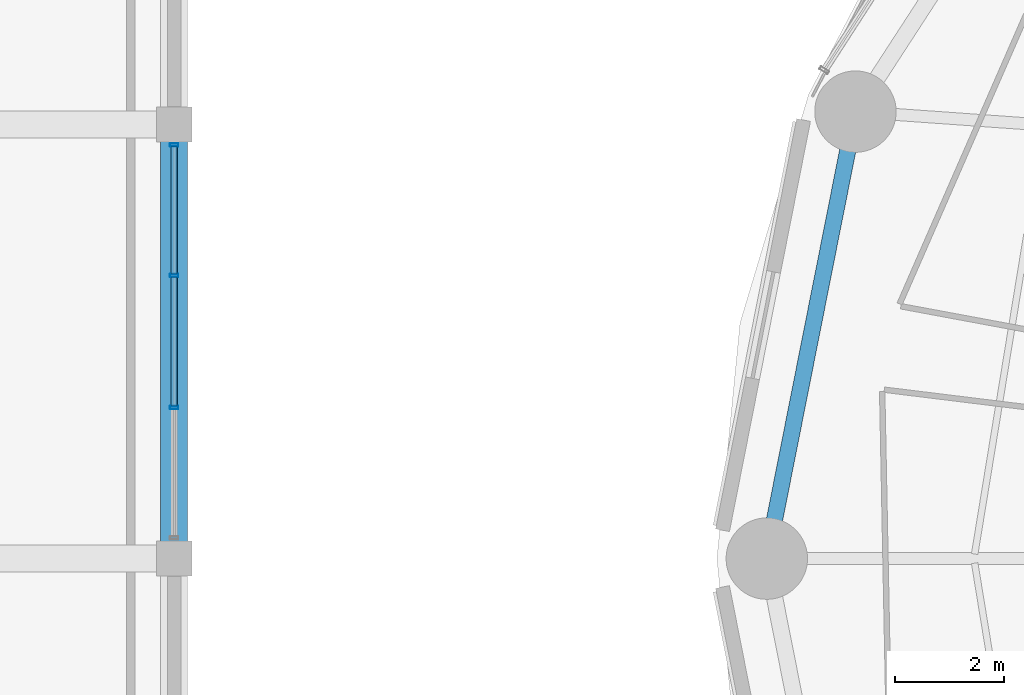
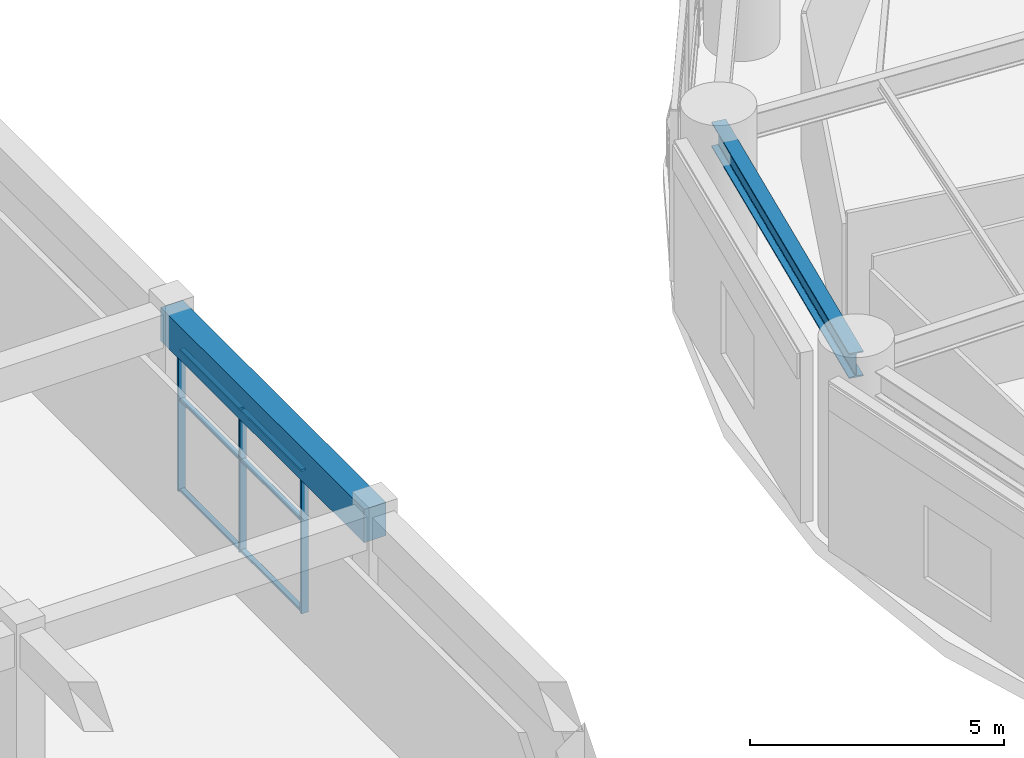
# One storey, part 14 of 52: 9 members, 2 beams, 1 element without a shape of its own.
"""IFC4 building model written with IfcOpenShell, lengths in metres."""

from ifc_helpers import new_model, si_unit, direction, frame, origin, origin_2d, place, context, subcontext, project, spatial, rectangle, hollow_rectangle, i_section, extrude, material, layer, layer_set, material_profile, profile_set, type_object, element, aggregate, save


model = new_model("IFC4")

# Units and contexts
model_context = context("Model", 3, precision=1e-05, world=origin(), true_north=direction((0.0, 1.0)))
body_context = subcontext(model_context, "Body", "Model", "MODEL_VIEW")
ifc_project = project(units=[si_unit("LENGTHUNIT", "METRE"), si_unit("AREAUNIT", "SQUARE_METRE"), si_unit("VOLUMEUNIT", "CUBIC_METRE"), si_unit("PLANEANGLEUNIT", "RADIAN"), si_unit("MASSUNIT", "GRAM", prefix="KILO")], contexts=[model_context])

# Site, building, storey
site_placement = place(None, origin())
site = spatial("IfcSite", under=ifc_project, at=site_placement, CompositionType="ELEMENT")
building_placement = place(site_placement, origin())
building = spatial("IfcBuilding", under=site, at=building_placement, Name="Kelanora Arch Commons", CompositionType="ELEMENT")
storey_placement = place(building_placement, frame((0.0, 0.0, 13.5)))
storey = spatial("IfcBuildingStorey", under=building, at=storey_placement, Name="L03", CompositionType="ELEMENT", Elevation=13.5)

# Beams
ifc_material_1 = material(Name="Concrete C40/50", Category="concrete")
ifc_material_profile_1 = material_profile(ifc_material_1, rectangle(XDim=0.5, YDim=0.800048828125, at=origin_2d()), Name="RCB500x800")
ifc_profile_set_1 = profile_set([ifc_material_profile_1], Name="Concrete C40/50")
beam_type_1 = type_object("IfcBeamType", Name="BM-MKT-RC1", PredefinedType="BEAM", material=ifc_profile_set_1)
beam_1_placement = place(storey_placement, frame((36.0, 58.0, 3.840087890625), z_axis=(0.0, 1.0, 0.0), x_axis=(-1.0, 0.0, 0.0)))
element("IfcBeam", 1, at=beam_1_placement, inside=storey, type_object=beam_type_1, Name="Market/Basement Frame Beam 091 L03", PredefinedType="BEAM", context=body_context, shape_type="SweptSolid", body=[
    extrude(rectangle(XDim=0.5, YDim=0.800048828125, at=origin_2d()), origin(), (0.0, 0.0, 1.0), 8.0),
])
ifc_material_2 = material(Name="Steel S355", Category="steel")
ifc_material_profile_2 = material_profile(ifc_material_2, i_section(OverallWidth=0.300048828125, OverallDepth=0.60009765625, WebThickness=0.015380859375, FlangeThickness=0.030029296875, FilletRadius=0.027099609375, at=origin_2d()), Name="HEB600")
ifc_profile_set_2 = profile_set([ifc_material_profile_2], Name="Steel S355")
beam_type_2 = type_object("IfcBeamType", Name="BM-SPN-Z1", PredefinedType="SPANDREL", material=ifc_profile_set_2)
beam_2_placement = place(storey_placement, frame((48.552978515625, 66.23583984375, 3.800048828125), z_axis=(-0.194499827256, -0.980902552345, 0.0), x_axis=(0.980902552345, -0.194499827256, 0.0)))
element("IfcBeam", 2, at=beam_2_placement, inside=storey, type_object=beam_type_2, Name="Perimeter Spandrel Beam BS-16 L03", PredefinedType="SPANDREL", context=body_context, shape_type="SweptSolid", body=[
    extrude(i_section(OverallWidth=0.300048828125, OverallDepth=0.60009765625, WebThickness=0.015380859375, FlangeThickness=0.030029296875, FilletRadius=0.027099609375, at=origin_2d()), origin(), (0.0, 0.0, 1.0), 8.396240234375),
])

# Curtain wall, members
ifc_material_3 = material(Name="Terracotta ceramic-fritted low-E glass and aluminium", Category="masonry")
ifc_layer = layer(ifc_material_3, 0.16796875)
ifc_layer_set = layer_set([ifc_layer], Name="Terracotta ceramic-fritted low-E glass and aluminium")
curtain_wall_type = type_object("IfcCurtainWallType", Name="CW-SYS-07", PredefinedType="NOTDEFINED", material=ifc_layer_set)
curtain_wall_placement = place(storey_placement, origin())
curtain_wall = element("IfcCurtainWall", 3, at=curtain_wall_placement, inside=storey, type_object=curtain_wall_type, Name="Market Hall Arcade Curtain Wall L03-27", PredefinedType="NOTDEFINED")
ifc_material_4 = material(Name="Powder-coated aluminium terracotta", Category="masonry")
ifc_material_profile_3 = material_profile(ifc_material_4, hollow_rectangle(XDim=0.159912109375, YDim=0.06005859375, WallThickness=0.0048828125, InnerFilletRadius=0.0048828125, OuterFilletRadius=0.010009765625, at=origin_2d()), Name="CWM160x60")
ifc_profile_set_3 = profile_set([ifc_material_profile_3], Name="Powder-coated aluminium terracotta")
member_type_1 = type_object("IfcMemberType", Name="CWM-STD", PredefinedType="MULLION", material=ifc_profile_set_3)
member_1_placement = place(storey_placement, frame((36.0, 60.783447265625, 0.0), z_axis=(0.0, 0.0, 1.0), x_axis=(-1.0, 0.0, 0.0)))
member_1 = element("IfcMember", 4, at=member_1_placement, type_object=member_type_1, Name="CW-07 mullion 2", PredefinedType="MULLION", context=body_context, shape_type="SweptSolid", body=[
    extrude(hollow_rectangle(XDim=0.159912109375, YDim=0.06005859375, WallThickness=0.0048828125, InnerFilletRadius=0.0048828125, OuterFilletRadius=0.010009765625, at=origin_2d()), origin(), (0.0, 0.0, 1.0), 3.419921875),
])
member_2_placement = place(storey_placement, frame((36.0, 63.216552734375, 0.0), z_axis=(0.0, 0.0, 1.0), x_axis=(-1.0, 0.0, 0.0)))
member_2 = element("IfcMember", 5, at=member_2_placement, type_object=member_type_1, Name="CW-07 mullion 3", PredefinedType="MULLION", context=body_context, shape_type="SweptSolid", body=[
    extrude(hollow_rectangle(XDim=0.159912109375, YDim=0.06005859375, WallThickness=0.0048828125, InnerFilletRadius=0.0048828125, OuterFilletRadius=0.010009765625, at=origin_2d()), origin(), (0.0, 0.0, 1.0), 3.419921875),
])
member_3_placement = place(storey_placement, frame((36.0, 65.6201171875, 0.0), z_axis=(0.0, 0.0, 1.0), x_axis=(-1.0, 0.0, 0.0)))
member_3 = element("IfcMember", 6, at=member_3_placement, type_object=member_type_1, Name="CW-07 mullion 4", PredefinedType="MULLION", context=body_context, shape_type="SweptSolid", body=[
    extrude(hollow_rectangle(XDim=0.159912109375, YDim=0.06005859375, WallThickness=0.0048828125, InnerFilletRadius=0.0048828125, OuterFilletRadius=0.010009765625, at=origin_2d()), origin(), (0.0, 0.0, 1.0), 3.419921875),
])
ifc_material_profile_4 = material_profile(ifc_material_4, hollow_rectangle(XDim=0.1201171875, YDim=0.06005859375, WallThickness=0.0048828125, InnerFilletRadius=0.0048828125, OuterFilletRadius=0.010009765625, at=origin_2d()), Name="CWT120x60")
ifc_profile_set_4 = profile_set([ifc_material_profile_4], Name="Powder-coated aluminium terracotta")
member_type_2 = type_object("IfcMemberType", Name="CWT-STD", PredefinedType="USERDEFINED", material=ifc_profile_set_4)
member_4_placement = place(storey_placement, frame((36.0, 60.813232421875, 0.030029296875), z_axis=(0.0, 1.0, 0.0), x_axis=(-1.0, 0.0, 0.0)))
member_4 = element("IfcMember", 7, at=member_4_placement, type_object=member_type_2, Name="CW-07 transom 2.1", ObjectType="TRANSOM", PredefinedType="USERDEFINED", context=body_context, shape_type="SweptSolid", body=[
    extrude(hollow_rectangle(XDim=0.1201171875, YDim=0.06005859375, WallThickness=0.0048828125, InnerFilletRadius=0.0048828125, OuterFilletRadius=0.010009765625, at=origin_2d()), origin(), (0.0, 0.0, 1.0), 2.37353515625),
])
member_5_placement = place(storey_placement, frame((36.0, 60.813232421875, 2.199951171875), z_axis=(0.0, 1.0, 0.0), x_axis=(-1.0, 0.0, 0.0)))
member_5 = element("IfcMember", 8, at=member_5_placement, type_object=member_type_2, Name="CW-07 transom 2.2", ObjectType="TRANSOM", PredefinedType="USERDEFINED", context=body_context, shape_type="SweptSolid", body=[
    extrude(hollow_rectangle(XDim=0.1201171875, YDim=0.06005859375, WallThickness=0.0048828125, InnerFilletRadius=0.0048828125, OuterFilletRadius=0.010009765625, at=origin_2d()), origin(), (0.0, 0.0, 1.0), 2.37353515625),
])
member_6_placement = place(storey_placement, frame((36.0, 60.813232421875, 3.389892578125), z_axis=(0.0, 1.0, 0.0), x_axis=(-1.0, 0.0, 0.0)))
member_6 = element("IfcMember", 9, at=member_6_placement, type_object=member_type_2, Name="CW-07 transom 2.3", ObjectType="TRANSOM", PredefinedType="USERDEFINED", context=body_context, shape_type="SweptSolid", body=[
    extrude(hollow_rectangle(XDim=0.1201171875, YDim=0.06005859375, WallThickness=0.0048828125, InnerFilletRadius=0.0048828125, OuterFilletRadius=0.010009765625, at=origin_2d()), origin(), (0.0, 0.0, 1.0), 2.37353515625),
])
member_7_placement = place(storey_placement, frame((36.0, 63.24658203125, 0.030029296875), z_axis=(0.0, 1.0, 0.0), x_axis=(-1.0, 0.0, 0.0)))
member_7 = element("IfcMember", 10, at=member_7_placement, type_object=member_type_2, Name="CW-07 transom 3.1", ObjectType="TRANSOM", PredefinedType="USERDEFINED", context=body_context, shape_type="SweptSolid", body=[
    extrude(hollow_rectangle(XDim=0.1201171875, YDim=0.06005859375, WallThickness=0.0048828125, InnerFilletRadius=0.0048828125, OuterFilletRadius=0.010009765625, at=origin_2d()), origin(), (0.0, 0.0, 1.0), 2.343505859375),
])
member_8_placement = place(storey_placement, frame((36.0, 63.24658203125, 2.199951171875), z_axis=(0.0, 1.0, 0.0), x_axis=(-1.0, 0.0, 0.0)))
member_8 = element("IfcMember", 11, at=member_8_placement, type_object=member_type_2, Name="CW-07 transom 3.2", ObjectType="TRANSOM", PredefinedType="USERDEFINED", context=body_context, shape_type="SweptSolid", body=[
    extrude(hollow_rectangle(XDim=0.1201171875, YDim=0.06005859375, WallThickness=0.0048828125, InnerFilletRadius=0.0048828125, OuterFilletRadius=0.010009765625, at=origin_2d()), origin(), (0.0, 0.0, 1.0), 2.343505859375),
])
member_9_placement = place(storey_placement, frame((36.0, 63.24658203125, 3.389892578125), z_axis=(0.0, 1.0, 0.0), x_axis=(-1.0, 0.0, 0.0)))
member_9 = element("IfcMember", 12, at=member_9_placement, type_object=member_type_2, Name="CW-07 transom 3.3", ObjectType="TRANSOM", PredefinedType="USERDEFINED", context=body_context, shape_type="SweptSolid", body=[
    extrude(hollow_rectangle(XDim=0.1201171875, YDim=0.06005859375, WallThickness=0.0048828125, InnerFilletRadius=0.0048828125, OuterFilletRadius=0.010009765625, at=origin_2d()), origin(), (0.0, 0.0, 1.0), 2.343505859375),
])
aggregate(curtain_wall, [member_1, member_2, member_3, member_4, member_5, member_6, member_7, member_8, member_9])

save(model, "model.ifc")
